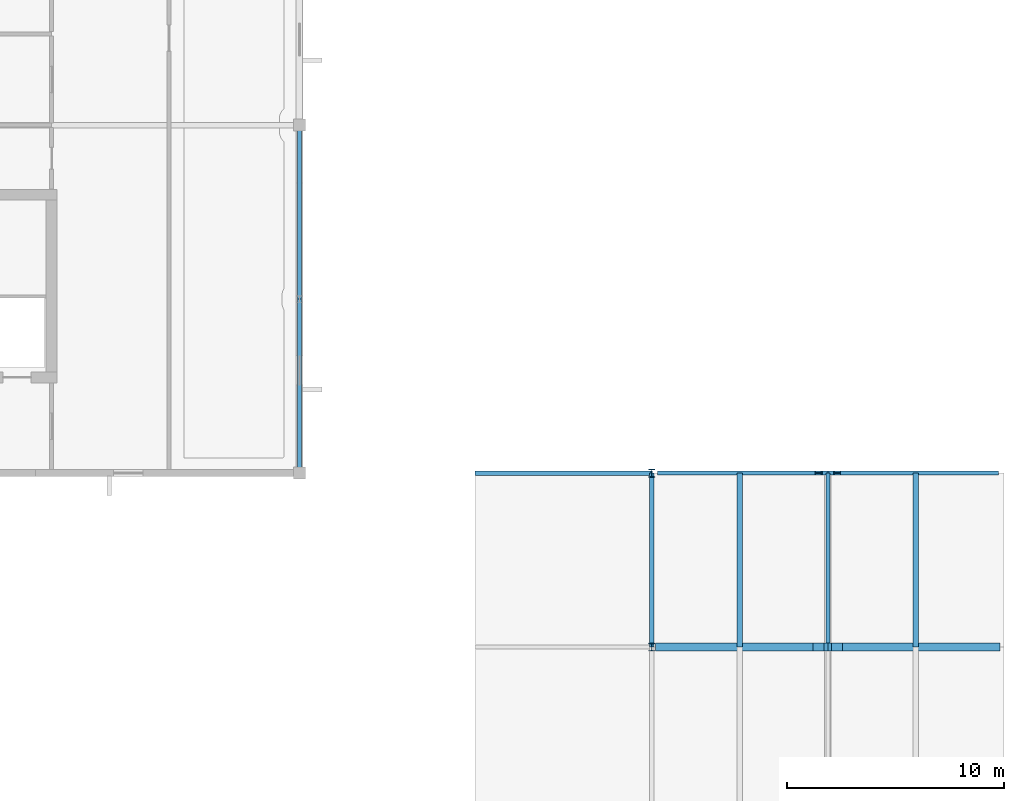
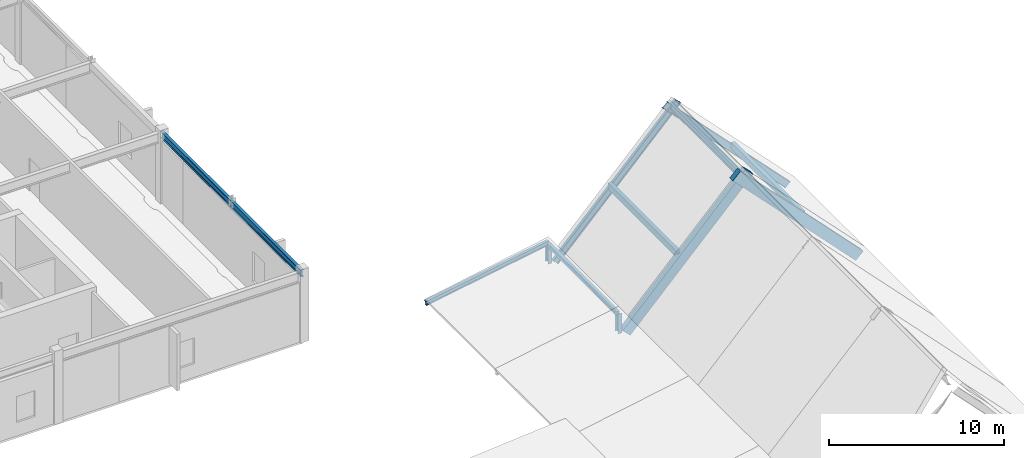
# One storey, part 41 of 107: 9 members, 4 beams.
"""IFC4 building model written with IfcOpenShell, lengths in metres."""

from ifc_helpers import new_model, si_unit, direction, frame, origin, origin_2d, place, context, subcontext, project, spatial, rectangle, i_section, extrude, material, material_profile, profile_set, type_object, element, save


model = new_model("IFC4")

# Units and contexts
model_context = context("Model", 3, precision=1e-05, world=origin(), true_north=direction((0.0, 1.0)))
body_context = subcontext(model_context, "Body", "Model", "MODEL_VIEW")
ifc_project = project(units=[si_unit("LENGTHUNIT", "METRE"), si_unit("AREAUNIT", "SQUARE_METRE"), si_unit("VOLUMEUNIT", "CUBIC_METRE"), si_unit("PLANEANGLEUNIT", "RADIAN"), si_unit("MASSUNIT", "GRAM", prefix="KILO")], contexts=[model_context])

# Site, building, storey
site_placement = place(None, origin())
site = spatial("IfcSite", under=ifc_project, at=site_placement, CompositionType="ELEMENT")
building_placement = place(site_placement, origin())
building = spatial("IfcBuilding", under=site, at=building_placement, Name="Tarnveldt Square Police Headquarters", CompositionType="ELEMENT")
storey_placement = place(building_placement, frame((0.0, 0.0, 14.699951171875)))
storey = spatial("IfcBuildingStorey", under=building, at=storey_placement, Name="L03", CompositionType="ELEMENT", Elevation=14.699951171875)

# Beams
ifc_material_1 = material(Name="Steel 350W", Category="steel")
ifc_material_profile_1 = material_profile(ifc_material_1, i_section(OverallWidth=0.202880859375, OverallDepth=0.302978515625, WebThickness=0.007568359375, FlangeThickness=0.01318359375, FilletRadius=0.014892578125, at=origin_2d()), Name="W310x60")
ifc_profile_set_1 = profile_set([ifc_material_profile_1], Name="Steel 350W")
beam_type_1 = type_object("IfcBeamType", Name="BM-W310x60", PredefinedType="JOIST", material=ifc_profile_set_1)
beam_placement = place(storey_placement, frame((145.800048828125, 48.0, 0.97998046875), z_axis=(0.0, 1.0, 0.0), x_axis=(-1.0, 0.0, 0.0)))
element("IfcBeam", 1, at=beam_placement, inside=storey, type_object=beam_type_1, Name="East Spine High-Eave Header 7", PredefinedType="JOIST", context=body_context, shape_type="SweptSolid", body=[
    extrude(i_section(OverallWidth=0.202880859375, OverallDepth=0.302978515625, WebThickness=0.007568359375, FlangeThickness=0.01318359375, FilletRadius=0.014892578125, at=origin_2d()), origin(), (0.0, 0.0, 1.0), 8.0),
])
ifc_material_profile_2 = material_profile(ifc_material_1, i_section(OverallWidth=0.19189453125, OverallDepth=0.462890625, WebThickness=0.010498046875, FlangeThickness=0.017578125, FilletRadius=0.01806640625, at=origin_2d()), Name="W460x89")
ifc_profile_set_2 = profile_set([ifc_material_profile_2], Name="Steel 350W")
beam_type_2 = type_object("IfcBeamType", Name="BM-W460x89", PredefinedType="BEAM", material=ifc_profile_set_2)
for number, where, z_axis, x_axis, name in (
    (2, (129.60009765625, 56.0, 4.608642578125), (0.0, 1.0, 0.0), (-1.0, 0.0, 0.0), "L04 Grid Girder Y-0914"),
    (3, (129.60009765625, 64.0, 4.608642578125), (0.0, 1.0, 0.0), (-1.0, 0.0, 0.0), "L04 Grid Girder Y-0915"),
    (4, (153.89990234375, 48.0, 7.780029296875), (0.0, 1.0, 0.0), (-1.0, 0.0, 0.0), "Gabled Hall Ridge Beam 7"),
):
    element("IfcBeam", number, at=place(storey_placement, frame(where, z_axis=z_axis, x_axis=x_axis)), inside=storey, type_object=beam_type_2, Name=name, PredefinedType="BEAM", context=body_context, shape_type="SweptSolid", body=[
        extrude(i_section(OverallWidth=0.19189453125, OverallDepth=0.462890625, WebThickness=0.010498046875, FlangeThickness=0.017578125, FilletRadius=0.01806640625, at=origin_2d()), origin(), (0.0, 0.0, 1.0), 8.0),
    ])

# Members
ifc_material_profile_3 = material_profile(ifc_material_1, i_section(OverallWidth=0.257080078125, OverallDepth=0.363037109375, WebThickness=0.012939453125, FlangeThickness=0.021728515625, FilletRadius=0.01611328125, at=origin_2d()), Name="W360x122")
ifc_profile_set_3 = profile_set([ifc_material_profile_3], Name="Steel 350W")
member_type_1 = type_object("IfcMemberType", Name="MEM-CT-POST", PredefinedType="STRUT", material=ifc_profile_set_3)
for number, where, z_axis, x_axis, name in (
    (5, (145.800048828125, 48.0, -0.280029296875), (0.0, 0.0, 1.0), (1.0, 0.0, 0.0), "East Spine Shed High-Eave Post 7"),
    (6, (145.800048828125, 56.0, -0.280029296875), (0.0, 0.0, 1.0), (1.0, 0.0, 0.0), "East Spine Shed High-Eave Post 8"),
):
    element("IfcMember", number, at=place(storey_placement, frame(where, z_axis=z_axis, x_axis=x_axis)), inside=storey, type_object=member_type_1, Name=name, PredefinedType="STRUT", context=body_context, shape_type="SweptSolid", body=[
        extrude(i_section(OverallWidth=0.257080078125, OverallDepth=0.363037109375, WebThickness=0.012939453125, FlangeThickness=0.021728515625, FilletRadius=0.01611328125, at=origin_2d()), origin(), (0.0, 0.0, 1.0), 1.380126953125),
    ])
ifc_material_2 = material(Name="Precast concrete 35 MPa", Category="concrete")
ifc_material_profile_4 = material_profile(ifc_material_2, rectangle(XDim=0.25, YDim=0.449951171875, at=origin_2d()), Name="PC-PUR250x450")
ifc_profile_set_4 = profile_set([ifc_material_profile_4], Name="Precast concrete 35 MPa")
member_type_2 = type_object("IfcMemberType", Name="MEM-GAB-PUR1", PredefinedType="PURLIN", material=ifc_profile_set_4)
for number, where, z_axis, x_axis, name in (
    (7, (149.85009765625, 48.0, 3.64013671875), (0.0, 1.0, 0.0), (-1.0, 0.0, 0.0), "Gabled Hall Roof Purlin W-7"),
    (8, (157.949951171875, 48.0, 3.64013671875), (0.0, 1.0, 0.0), (-1.0, 0.0, 0.0), "Gabled Hall Roof Purlin E-7"),
):
    element("IfcMember", number, at=place(storey_placement, frame(where, z_axis=z_axis, x_axis=x_axis)), inside=storey, type_object=member_type_2, Name=name, PredefinedType="PURLIN", context=body_context, shape_type="SweptSolid", body=[
        extrude(rectangle(XDim=0.25, YDim=0.449951171875, at=origin_2d()), origin(), (0.0, 0.0, 1.0), 8.0),
    ])
ifc_material_profile_5 = material_profile(ifc_material_2, rectangle(XDim=0.35009765625, YDim=0.699951171875, at=origin_2d()), Name="PC-RAF350x700")
ifc_profile_set_5 = profile_set([ifc_material_profile_5], Name="Precast concrete 35 MPa")
member_type_3 = type_object("IfcMemberType", Name="MEM-GAB-RAF1", PredefinedType="RAFTER", material=ifc_profile_set_5)
member_1_placement = place(storey_placement, frame((146.224609375, 48.0, -0.409423828125), z_axis=(0.694144088606, 0.0, 0.719836081517), x_axis=(0.0, 1.0, 0.0)))
element("IfcMember", 9, at=member_1_placement, inside=storey, type_object=member_type_3, Name="Gabled Hall Rafter Frame GF-7 West", PredefinedType="RAFTER", context=body_context, shape_type="SweptSolid", body=[
    extrude(rectangle(XDim=0.35009765625, YDim=0.699951171875, at=origin_2d()), origin(), (0.0, 0.0, 1.0), 11.669189453125),
])
member_2_placement = place(storey_placement, frame((153.475341796875, 48.0, 7.990478515625), z_axis=(0.694133247437, 0.0, -0.719846535591), x_axis=(0.0, 1.0, 0.0)))
element("IfcMember", 10, at=member_2_placement, inside=storey, type_object=member_type_3, Name="Gabled Hall Rafter Frame GF-7 East", PredefinedType="RAFTER", context=body_context, shape_type="SweptSolid", body=[
    extrude(rectangle(XDim=0.35009765625, YDim=0.699951171875, at=origin_2d()), origin(), (0.0, 0.0, 1.0), 11.6689453125),
])
ifc_material_profile_6 = material_profile(ifc_material_1, i_section(OverallWidth=0.19189453125, OverallDepth=0.462890625, WebThickness=0.010498046875, FlangeThickness=0.017578125, FilletRadius=0.01806640625, at=origin_2d()), Name="W460x89")
ifc_profile_set_6 = profile_set([ifc_material_profile_6], Name="Steel 350W")
member_type_4 = type_object("IfcMemberType", Name="MEM-GAB-RAF2", PredefinedType="RAFTER", material=ifc_profile_set_6)
member_3_placement = place(storey_placement, frame((146.224609375, 56.0, -0.409423828125), z_axis=(0.694144088606, 0.0, 0.719836081517), x_axis=(0.0, 1.0, 0.0)))
element("IfcMember", 11, at=member_3_placement, inside=storey, type_object=member_type_4, Name="Gabled Hall Rafter Frame GF-8 West", PredefinedType="RAFTER", context=body_context, shape_type="SweptSolid", body=[
    extrude(i_section(OverallWidth=0.19189453125, OverallDepth=0.462890625, WebThickness=0.010498046875, FlangeThickness=0.017578125, FilletRadius=0.01806640625, at=origin_2d()), origin(), (0.0, 0.0, 1.0), 11.669189453125),
])
member_4_placement = place(storey_placement, frame((153.475341796875, 56.0, 7.990478515625), z_axis=(0.694133247437, 0.0, -0.719846535591), x_axis=(0.0, 1.0, 0.0)))
element("IfcMember", 12, at=member_4_placement, inside=storey, type_object=member_type_4, Name="Gabled Hall Rafter Frame GF-8 East", PredefinedType="RAFTER", context=body_context, shape_type="SweptSolid", body=[
    extrude(i_section(OverallWidth=0.19189453125, OverallDepth=0.462890625, WebThickness=0.010498046875, FlangeThickness=0.017578125, FilletRadius=0.01806640625, at=origin_2d()), origin(), (0.0, 0.0, 1.0), 11.6689453125),
])
ifc_material_profile_7 = material_profile(ifc_material_1, i_section(OverallWidth=0.202880859375, OverallDepth=0.302978515625, WebThickness=0.007568359375, FlangeThickness=0.01318359375, FilletRadius=0.014892578125, at=origin_2d()), Name="W310x60")
ifc_profile_set_7 = profile_set([ifc_material_profile_7], Name="Steel 350W")
member_type_5 = type_object("IfcMemberType", Name="MEM-L07-RAF", PredefinedType="RAFTER", material=ifc_profile_set_7)
member_5_placement = place(storey_placement, frame((137.699951171875, 56.0, -0.280029296875), z_axis=(0.985387146875, 0.0, 0.17032959453), x_axis=(0.0, 1.0, 0.0)))
element("IfcMember", 13, at=member_5_placement, inside=storey, type_object=member_type_5, Name="East Hall Spine Shed Rafter 8", PredefinedType="RAFTER", context=body_context, shape_type="SweptSolid", body=[
    extrude(i_section(OverallWidth=0.202880859375, OverallDepth=0.302978515625, WebThickness=0.007568359375, FlangeThickness=0.01318359375, FilletRadius=0.014892578125, at=origin_2d()), origin(), (0.0, 0.0, 1.0), 8.22021484375),
])

save(model, "model.ifc")
